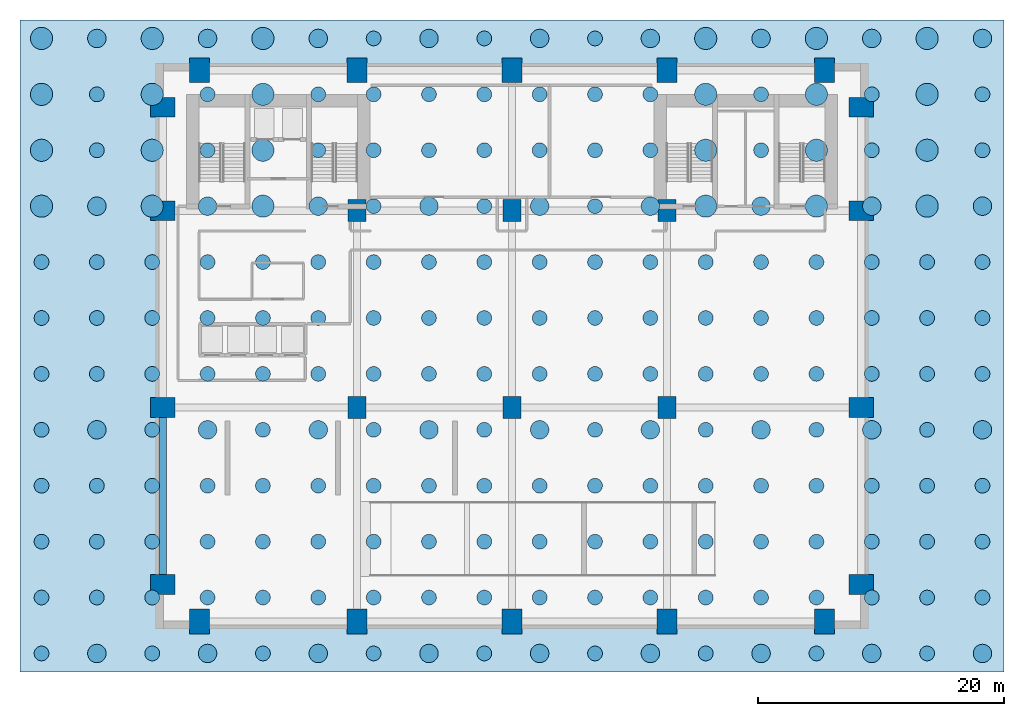
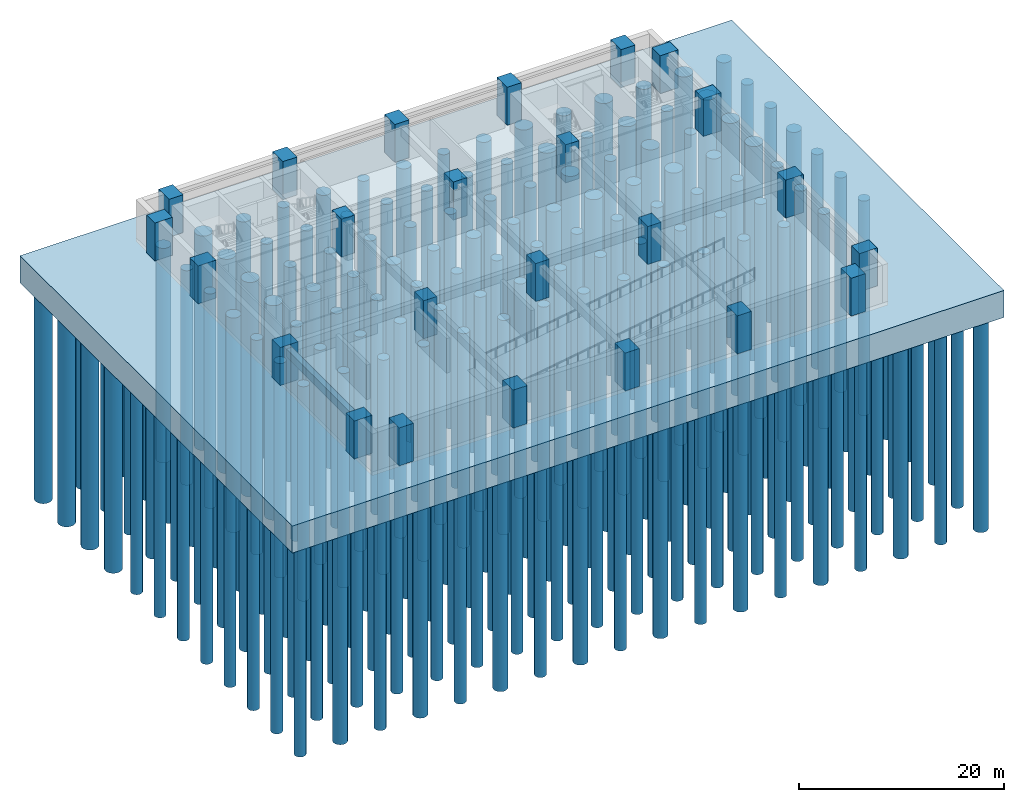
# One storey, part 1 of 8: 216 piles, 24 columns, 1 beam, 1 footing.
"""IFC4 building model written with IfcOpenShell, lengths in metres."""

import ifcopenshell
import ifcopenshell.guid

model = None  # the IFC model being written
_history = None  # IfcOwnerHistory: only IFC2X3 demands one
_inside = {}  # id of a spatial element -> (the spatial element, [elements in it])
_under = {}  # id of a project, library or spatial element -> (it, [spatial elements below it])
_declared = {}  # id of a project -> (the project, [libraries it declares])
_typed = {}  # id of a type object -> (the type object, [elements of that type])
_made_of = {}  # id of a material, layer set ... -> (it, [elements and type objects made of it])


def new_model(schema):
    """Start an empty IFC model of exactly this schema.

    Asked for "IFC4X3", IfcOpenShell would pick the latest addendum, in which some entities
    have other attributes; the version numbers below select the first issue.
    IFC2X3 requires an IfcOwnerHistory on every rooted entity: one is made here for all.
    """
    global model, _history
    if schema == "IFC4X3":
        model = ifcopenshell.file(schema_version=(4, 3, 0, 0))
    else:
        model = ifcopenshell.file(schema=schema)
    _inside.clear()
    _under.clear()
    _declared.clear()
    _typed.clear()
    _made_of.clear()
    _history = None
    if model.schema == "IFC2X3":
        org = make("IfcOrganization", Name="unknown")
        user = make(
            "IfcPersonAndOrganization",
            ThePerson=make("IfcPerson", FamilyName="unknown"),
            TheOrganization=org,
        )
        app = make(
            "IfcApplication",
            ApplicationDeveloper=org,
            Version="unknown",
            ApplicationFullName="unknown",
            ApplicationIdentifier="unknown",
        )
        _history = make(
            "IfcOwnerHistory",
            OwningUser=user,
            OwningApplication=app,
            ChangeAction="ADDED",
            CreationDate=0,
        )
    return model


def make(cls, **values):
    """One entity of the class cls with the attributes given. An attribute that is None is left unset."""
    return model.create_entity(
        cls, **{name: value for name, value in values.items() if value is not None}
    )


def rooted(cls, **values):
    """An entity with a GlobalId (a new one), such as an element, a storey or a relation."""
    return make(cls, GlobalId=ifcopenshell.guid.new(), OwnerHistory=_history, **values)


def si_unit(unit_type, name, prefix=None):
    """IfcSIUnit, for example si_unit("LENGTHUNIT", "METRE", prefix="MILLI")."""
    return make("IfcSIUnit", UnitType=unit_type, Prefix=prefix, Name=name)


def assignment(units):
    """IfcUnitAssignment: the units of a project."""
    return None if units is None else make("IfcUnitAssignment", Units=units)


def point(xyz):
    """IfcCartesianPoint."""
    return None if xyz is None else make("IfcCartesianPoint", Coordinates=xyz)


def direction(xyz):
    """IfcDirection."""
    return None if xyz is None else make("IfcDirection", DirectionRatios=xyz)


def frame(location, z_axis=None, x_axis=None):
    """IfcAxis2Placement3D, a coordinate frame: its origin and axes. An axis left out is left unset."""
    return make(
        "IfcAxis2Placement3D",
        Location=point(location),
        Axis=direction(z_axis),
        RefDirection=direction(x_axis),
    )


def frame_2d(location, x_axis=None):
    """IfcAxis2Placement2D, a coordinate frame in the plane: its origin and x axis."""
    return make(
        "IfcAxis2Placement2D", Location=point(location), RefDirection=direction(x_axis)
    )


def origin():
    """The frame at (0, 0, 0) with its axes left unset."""
    return frame((0.0, 0.0, 0.0))


def origin_2d():
    """The frame at (0, 0) in the plane with its x axis left unset."""
    return frame_2d((0.0, 0.0))


def place(relative_to, where):
    """IfcLocalPlacement: puts the frame where relative to a parent placement (None: the world)."""
    return make(
        "IfcLocalPlacement", PlacementRelTo=relative_to, RelativePlacement=where
    )


def context(
    kind, dimensions, precision=None, world=None, true_north=None, identifier=None
):
    """IfcGeometricRepresentationContext, for example the 3D "Model" context."""
    return make(
        "IfcGeometricRepresentationContext",
        ContextIdentifier=identifier,
        ContextType=kind,
        CoordinateSpaceDimension=dimensions,
        Precision=precision,
        WorldCoordinateSystem=world,
        TrueNorth=true_north,
    )


def subcontext(parent, identifier, kind, view, scale=None):
    """IfcGeometricRepresentationSubContext, for example "Body" below "Model"."""
    return make(
        "IfcGeometricRepresentationSubContext",
        ContextIdentifier=identifier,
        ContextType=kind,
        ParentContext=parent,
        TargetScale=scale,
        TargetView=view,
    )


def project(units=None, contexts=None):
    """IfcProject with its units and contexts."""
    return rooted(
        "IfcProject",
        Name="project",
        RepresentationContexts=contexts,
        UnitsInContext=assignment(units),
    )


def spatial(cls, under=None, at=None, **own):
    """A site, building, storey or space (cls), placed at a placement, below another one or the project."""
    s = rooted(cls, ObjectPlacement=at, **own)
    if under is not None:
        _under.setdefault(under.id(), (under, []))[1].append(s)
    return s


def polyline(points):
    """IfcPolyline through the points."""
    return make("IfcPolyline", Points=[point(p) for p in points])


def profile(cls, at=None, kind="AREA", **sizes):
    """A parametric profile (cls). Its sizes go by their IFC names, for example OverallWidth=200.0."""
    return make(cls, ProfileType=kind, Position=at, **sizes)


def rectangle(**sizes):
    """IfcRectangleProfileDef."""
    return profile("IfcRectangleProfileDef", **sizes)


def circle(**sizes):
    """IfcCircleProfileDef."""
    return profile("IfcCircleProfileDef", **sizes)


def outline(outer, holes=None, kind="AREA"):
    """IfcArbitraryClosedProfileDef: a profile drawn as a closed curve; with holes, ...WithVoids."""
    if holes is None:
        return make("IfcArbitraryClosedProfileDef", ProfileType=kind, OuterCurve=outer)
    return make(
        "IfcArbitraryProfileDefWithVoids",
        ProfileType=kind,
        OuterCurve=outer,
        InnerCurves=holes,
    )


def extrude(swept, where, along, depth):
    """IfcExtrudedAreaSolid: the profile swept, set in the frame where, extruded along a direction by depth."""
    return make(
        "IfcExtrudedAreaSolid",
        SweptArea=swept,
        Position=where,
        ExtrudedDirection=direction(along),
        Depth=depth,
    )


def shape(context_of_items, identifier, shape_type, items):
    """IfcShapeRepresentation: the items that make up one representation, for example the "Body"."""
    return make(
        "IfcShapeRepresentation",
        ContextOfItems=context_of_items,
        RepresentationIdentifier=identifier,
        RepresentationType=shape_type,
        Items=items,
    )


def material(Name=None, Category=None):
    """IfcMaterial."""
    return make("IfcMaterial", Name=Name, Category=Category)


def layer(
    of_material, thickness, ventilated=None, Name=None, Category=None, Priority=None
):
    """IfcMaterialLayer: one layer of a wall or slab, of a material (None: an air gap)."""
    return make(
        "IfcMaterialLayer",
        Material=of_material,
        LayerThickness=thickness,
        IsVentilated=ventilated,
        Name=Name,
        Category=Category,
        Priority=Priority,
    )


def layer_set(layers, Name=None):
    """IfcMaterialLayerSet."""
    return make("IfcMaterialLayerSet", MaterialLayers=layers, LayerSetName=Name)


def material_profile(
    of_material, cross_section, Name=None, Category=None, Priority=None
):
    """IfcMaterialProfile: a cross section and its material."""
    return make(
        "IfcMaterialProfile",
        Name=Name,
        Material=of_material,
        Profile=cross_section,
        Priority=Priority,
        Category=Category,
    )


def profile_set(profiles, Name=None, composite=None):
    """IfcMaterialProfileSet."""
    return make(
        "IfcMaterialProfileSet",
        Name=Name,
        MaterialProfiles=profiles,
        CompositeProfile=composite,
    )


def made_of(thing, what):
    """Note that an element or type object is made of a material, layer set ...; save() writes the relation."""
    if what is not None:
        _made_of.setdefault(what.id(), (what, []))[1].append(thing)
    return thing


def type_object(cls, material=None, **own):
    """A type object (cls), such as IfcWallType, which elements share."""
    return made_of(rooted(cls, **own), material)


def element(
    cls,
    number,
    at=None,
    inside=None,
    cuts=None,
    type_object=None,
    material=None,
    context=None,
    identifier="Body",
    shape_type=None,
    held_by="IfcProductDefinitionShape",
    body=None,
    shapes=None,
    **own,
):
    """One element of the class cls, such as IfcWall. Its Tag is "e" and its number.

    at: its placement. inside: the storey or other place that contains it. cuts: it is an
    opening in that element (IfcRelVoidsElement). A single representation is given by context,
    identifier, shape_type and body (its items); several are given by shapes. held_by: the class
    of the entity that holds the representations. save() writes the other relations.
    """
    e = rooted(cls, Tag="e%d" % number, ObjectPlacement=at, **own)
    if body is not None:
        shapes = [shape(context, identifier, shape_type, body)]
    if shapes is not None:
        e.Representation = make(held_by, Representations=shapes)
    if inside is not None:
        _inside.setdefault(inside.id(), (inside, []))[1].append(e)
    if cuts is not None:
        rooted(
            "IfcRelVoidsElement", RelatingBuildingElement=cuts, RelatedOpeningElement=e
        )
    if type_object is not None:
        _typed.setdefault(type_object.id(), (type_object, []))[1].append(e)
    return made_of(e, material)


def aggregate(whole, parts):
    """IfcRelAggregates: a whole, such as a stair, and the parts it consists of."""
    return rooted("IfcRelAggregates", RelatingObject=whole, RelatedObjects=parts)


def save(model, path):
    """Write the relations noted so far, then the file.

    IfcRelAggregates (storeys below a building ...), IfcRelContainedInSpatialStructure (elements
    in a storey), IfcRelDefinesByType, IfcRelAssociatesMaterial and IfcRelDeclares: one each for
    every whole, place, type object, material and project.
    """
    for whole, parts in _under.values():
        aggregate(whole, parts)
    for where, things in _inside.values():
        rooted(
            "IfcRelContainedInSpatialStructure",
            RelatedElements=things,
            RelatingStructure=where,
        )
    for kind, things in _typed.values():
        rooted("IfcRelDefinesByType", RelatedObjects=things, RelatingType=kind)
    for what, things in _made_of.values():
        rooted("IfcRelAssociatesMaterial", RelatedObjects=things, RelatingMaterial=what)
    for by, libraries in _declared.values():
        rooted("IfcRelDeclares", RelatingContext=by, RelatedDefinitions=libraries)
    model.write(path)


model = new_model("IFC4")

# Units and contexts
model_context = context("Model", 3, precision=1e-05, world=origin(), true_north=direction((0.0, 1.0)))
body_context = subcontext(model_context, "Body", "Model", "MODEL_VIEW")
ifc_project = project(units=[si_unit("LENGTHUNIT", "METRE"), si_unit("AREAUNIT", "SQUARE_METRE"), si_unit("VOLUMEUNIT", "CUBIC_METRE"), si_unit("PLANEANGLEUNIT", "RADIAN"), si_unit("MASSUNIT", "GRAM", prefix="KILO")], contexts=[model_context])

# Site, building, storey
site_placement = place(None, origin())
site = spatial("IfcSite", under=ifc_project, at=site_placement, CompositionType="ELEMENT")
building_placement = place(site_placement, origin())
building = spatial("IfcBuilding", under=site, at=building_placement, Name="Sulina Concourse Tower", CompositionType="ELEMENT")
storey_placement = place(building_placement, frame((0.0, 0.0, -9.0)))
storey = spatial("IfcBuildingStorey", under=building, at=storey_placement, Name="B2", CompositionType="ELEMENT", Elevation=-9.0)

# Footing
ifc_material_1 = material(Name="Concrete C50/60", Category="concrete")
ifc_layer = layer(ifc_material_1, 3.199951171875)
ifc_layer_set = layer_set([ifc_layer], Name="Concrete C50/60")
footing_type = type_object("IfcFootingType", Name="Monolithic Piled Raft Foundation 3200mm", PredefinedType="USERDEFINED", material=ifc_layer_set)
footing_placement = place(storey_placement, frame((0.0, 0.0, -3.64990234375)))
element("IfcFooting", 1, at=footing_placement, inside=storey, type_object=footing_type, Name="Monolithic piled raft foundation 3200mm", ObjectType="RAFT", PredefinedType="USERDEFINED", context=body_context, shape_type="SweptSolid", body=[
    extrude(outline(polyline([(-11.0, -3.5), (69.0, -3.5), (69.0, 49.5), (-11.0, 49.5), (-11.0, -3.5)])), origin(), (0.0, 0.0, 1.0), 3.199951171875),
])

# Piles
ifc_material_2 = material(Name="Concrete C50/60", Category="concrete")
ifc_material_profile_1 = material_profile(ifc_material_2, circle(Radius=0.60009765625, at=origin_2d()), Name="PILE D1200")
ifc_profile_set_1 = profile_set([ifc_material_profile_1], Name="Concrete C50/60")
pile_type_1 = type_object("IfcPileType", Name="Rock-Socketed Bored Pile D1200", PredefinedType="BORED", material=ifc_profile_set_1)
for number, where, z_axis, x_axis, name in (
    (2, (-9.25, -2.0, -3.5), (0.0, 0.0, -1.0), (1.0, 0.0, 0.0), "Rock-socketed bored pile 001"),
    (3, (-0.25, -2.0, -3.5), (0.0, 0.0, -1.0), (1.0, 0.0, 0.0), "Rock-socketed bored pile 003"),
    (4, (8.75, -2.0, -3.5), (0.0, 0.0, -1.0), (1.0, 0.0, 0.0), "Rock-socketed bored pile 005"),
    (5, (17.75, -2.0, -3.5), (0.0, 0.0, -1.0), (1.0, 0.0, 0.0), "Rock-socketed bored pile 007"),
    (6, (26.75, -2.0, -3.5), (0.0, 0.0, -1.0), (1.0, 0.0, 0.0), "Rock-socketed bored pile 009"),
    (7, (35.75, -2.0, -3.5), (0.0, 0.0, -1.0), (1.0, 0.0, 0.0), "Rock-socketed bored pile 011"),
    (8, (44.75, -2.0, -3.5), (0.0, 0.0, -1.0), (1.0, 0.0, 0.0), "Rock-socketed bored pile 013"),
    (9, (53.75, -2.0, -3.5), (0.0, 0.0, -1.0), (1.0, 0.0, 0.0), "Rock-socketed bored pile 015"),
    (10, (62.75, -2.0, -3.5), (0.0, 0.0, -1.0), (1.0, 0.0, 0.0), "Rock-socketed bored pile 017"),
    (11, (-9.25, 2.54541015625, -3.5), (0.0, 0.0, -1.0), (1.0, 0.0, 0.0), "Rock-socketed bored pile 019"),
    (12, (-4.75, 2.54541015625, -3.5), (0.0, 0.0, -1.0), (1.0, 0.0, 0.0), "Rock-socketed bored pile 020"),
    (13, (-0.25, 2.54541015625, -3.5), (0.0, 0.0, -1.0), (1.0, 0.0, 0.0), "Rock-socketed bored pile 021"),
    (14, (4.25, 2.54541015625, -3.5), (0.0, 0.0, -1.0), (1.0, 0.0, 0.0), "Rock-socketed bored pile 022"),
    (15, (8.75, 2.54541015625, -3.5), (0.0, 0.0, -1.0), (1.0, 0.0, 0.0), "Rock-socketed bored pile 023"),
    (16, (13.25, 2.54541015625, -3.5), (0.0, 0.0, -1.0), (1.0, 0.0, 0.0), "Rock-socketed bored pile 024"),
    (17, (17.75, 2.54541015625, -3.5), (0.0, 0.0, -1.0), (1.0, 0.0, 0.0), "Rock-socketed bored pile 025"),
    (18, (22.25, 2.54541015625, -3.5), (0.0, 0.0, -1.0), (1.0, 0.0, 0.0), "Rock-socketed bored pile 026"),
    (19, (26.75, 2.54541015625, -3.5), (0.0, 0.0, -1.0), (1.0, 0.0, 0.0), "Rock-socketed bored pile 027"),
    (20, (31.25, 2.54541015625, -3.5), (0.0, 0.0, -1.0), (1.0, 0.0, 0.0), "Rock-socketed bored pile 028"),
    (21, (35.75, 2.54541015625, -3.5), (0.0, 0.0, -1.0), (1.0, 0.0, 0.0), "Rock-socketed bored pile 029"),
    (22, (40.25, 2.54541015625, -3.5), (0.0, 0.0, -1.0), (1.0, 0.0, 0.0), "Rock-socketed bored pile 030"),
    (23, (44.75, 2.54541015625, -3.5), (0.0, 0.0, -1.0), (1.0, 0.0, 0.0), "Rock-socketed bored pile 031"),
    (24, (49.25, 2.54541015625, -3.5), (0.0, 0.0, -1.0), (1.0, 0.0, 0.0), "Rock-socketed bored pile 032"),
    (25, (53.75, 2.54541015625, -3.5), (0.0, 0.0, -1.0), (1.0, 0.0, 0.0), "Rock-socketed bored pile 033"),
    (26, (58.25, 2.54541015625, -3.5), (0.0, 0.0, -1.0), (1.0, 0.0, 0.0), "Rock-socketed bored pile 034"),
    (27, (62.75, 2.54541015625, -3.5), (0.0, 0.0, -1.0), (1.0, 0.0, 0.0), "Rock-socketed bored pile 035"),
    (28, (67.25, 2.54541015625, -3.5), (0.0, 0.0, -1.0), (1.0, 0.0, 0.0), "Rock-socketed bored pile 036"),
    (29, (-9.25, 7.0908203125, -3.5), (0.0, 0.0, -1.0), (1.0, 0.0, 0.0), "Rock-socketed bored pile 037"),
    (30, (-4.75, 7.0908203125, -3.5), (0.0, 0.0, -1.0), (1.0, 0.0, 0.0), "Rock-socketed bored pile 038"),
    (31, (-0.25, 7.0908203125, -3.5), (0.0, 0.0, -1.0), (1.0, 0.0, 0.0), "Rock-socketed bored pile 039"),
    (32, (4.25, 7.0908203125, -3.5), (0.0, 0.0, -1.0), (1.0, 0.0, 0.0), "Rock-socketed bored pile 040"),
    (33, (8.75, 7.0908203125, -3.5), (0.0, 0.0, -1.0), (1.0, 0.0, 0.0), "Rock-socketed bored pile 041"),
    (34, (13.25, 7.0908203125, -3.5), (0.0, 0.0, -1.0), (1.0, 0.0, 0.0), "Rock-socketed bored pile 042"),
    (35, (17.75, 7.0908203125, -3.5), (0.0, 0.0, -1.0), (1.0, 0.0, 0.0), "Rock-socketed bored pile 043"),
    (36, (22.25, 7.0908203125, -3.5), (0.0, 0.0, -1.0), (1.0, 0.0, 0.0), "Rock-socketed bored pile 044"),
    (37, (26.75, 7.0908203125, -3.5), (0.0, 0.0, -1.0), (1.0, 0.0, 0.0), "Rock-socketed bored pile 045"),
    (38, (31.25, 7.0908203125, -3.5), (0.0, 0.0, -1.0), (1.0, 0.0, 0.0), "Rock-socketed bored pile 046"),
    (39, (35.75, 7.0908203125, -3.5), (0.0, 0.0, -1.0), (1.0, 0.0, 0.0), "Rock-socketed bored pile 047"),
    (40, (40.25, 7.0908203125, -3.5), (0.0, 0.0, -1.0), (1.0, 0.0, 0.0), "Rock-socketed bored pile 048"),
    (41, (44.75, 7.0908203125, -3.5), (0.0, 0.0, -1.0), (1.0, 0.0, 0.0), "Rock-socketed bored pile 049"),
    (42, (49.25, 7.0908203125, -3.5), (0.0, 0.0, -1.0), (1.0, 0.0, 0.0), "Rock-socketed bored pile 050"),
    (43, (53.75, 7.0908203125, -3.5), (0.0, 0.0, -1.0), (1.0, 0.0, 0.0), "Rock-socketed bored pile 051"),
    (44, (58.25, 7.0908203125, -3.5), (0.0, 0.0, -1.0), (1.0, 0.0, 0.0), "Rock-socketed bored pile 052"),
    (45, (62.75, 7.0908203125, -3.5), (0.0, 0.0, -1.0), (1.0, 0.0, 0.0), "Rock-socketed bored pile 053"),
    (46, (67.25, 7.0908203125, -3.5), (0.0, 0.0, -1.0), (1.0, 0.0, 0.0), "Rock-socketed bored pile 054"),
    (47, (-9.25, 11.636474609375, -3.5), (0.0, 0.0, -1.0), (1.0, 0.0, 0.0), "Rock-socketed bored pile 055"),
    (48, (-4.75, 11.636474609375, -3.5), (0.0, 0.0, -1.0), (1.0, 0.0, 0.0), "Rock-socketed bored pile 056"),
    (49, (-0.25, 11.636474609375, -3.5), (0.0, 0.0, -1.0), (1.0, 0.0, 0.0), "Rock-socketed bored pile 057"),
    (50, (4.25, 11.636474609375, -3.5), (0.0, 0.0, -1.0), (1.0, 0.0, 0.0), "Rock-socketed bored pile 058"),
    (51, (8.75, 11.636474609375, -3.5), (0.0, 0.0, -1.0), (1.0, 0.0, 0.0), "Rock-socketed bored pile 059"),
    (52, (13.25, 11.636474609375, -3.5), (0.0, 0.0, -1.0), (1.0, 0.0, 0.0), "Rock-socketed bored pile 060"),
    (53, (17.75, 11.636474609375, -3.5), (0.0, 0.0, -1.0), (1.0, 0.0, 0.0), "Rock-socketed bored pile 061"),
    (54, (22.25, 11.636474609375, -3.5), (0.0, 0.0, -1.0), (1.0, 0.0, 0.0), "Rock-socketed bored pile 062"),
    (55, (26.75, 11.636474609375, -3.5), (0.0, 0.0, -1.0), (1.0, 0.0, 0.0), "Rock-socketed bored pile 063"),
    (56, (31.25, 11.636474609375, -3.5), (0.0, 0.0, -1.0), (1.0, 0.0, 0.0), "Rock-socketed bored pile 064"),
    (57, (35.75, 11.636474609375, -3.5), (0.0, 0.0, -1.0), (1.0, 0.0, 0.0), "Rock-socketed bored pile 065"),
    (58, (40.25, 11.636474609375, -3.5), (0.0, 0.0, -1.0), (1.0, 0.0, 0.0), "Rock-socketed bored pile 066"),
    (59, (44.75, 11.636474609375, -3.5), (0.0, 0.0, -1.0), (1.0, 0.0, 0.0), "Rock-socketed bored pile 067"),
    (60, (49.25, 11.636474609375, -3.5), (0.0, 0.0, -1.0), (1.0, 0.0, 0.0), "Rock-socketed bored pile 068"),
    (61, (53.75, 11.636474609375, -3.5), (0.0, 0.0, -1.0), (1.0, 0.0, 0.0), "Rock-socketed bored pile 069"),
    (62, (58.25, 11.636474609375, -3.5), (0.0, 0.0, -1.0), (1.0, 0.0, 0.0), "Rock-socketed bored pile 070"),
    (63, (62.75, 11.636474609375, -3.5), (0.0, 0.0, -1.0), (1.0, 0.0, 0.0), "Rock-socketed bored pile 071"),
    (64, (67.25, 11.636474609375, -3.5), (0.0, 0.0, -1.0), (1.0, 0.0, 0.0), "Rock-socketed bored pile 072"),
    (65, (-9.25, 16.181884765625, -3.5), (0.0, 0.0, -1.0), (1.0, 0.0, 0.0), "Rock-socketed bored pile 073"),
    (66, (-0.25, 16.181884765625, -3.5), (0.0, 0.0, -1.0), (1.0, 0.0, 0.0), "Rock-socketed bored pile 075"),
    (67, (8.75, 16.181884765625, -3.5), (0.0, 0.0, -1.0), (1.0, 0.0, 0.0), "Rock-socketed bored pile 077"),
    (68, (17.75, 16.181884765625, -3.5), (0.0, 0.0, -1.0), (1.0, 0.0, 0.0), "Rock-socketed bored pile 079"),
    (69, (26.75, 16.181884765625, -3.5), (0.0, 0.0, -1.0), (1.0, 0.0, 0.0), "Rock-socketed bored pile 081"),
    (70, (35.75, 16.181884765625, -3.5), (0.0, 0.0, -1.0), (1.0, 0.0, 0.0), "Rock-socketed bored pile 083"),
    (71, (44.75, 16.181884765625, -3.5), (0.0, 0.0, -1.0), (1.0, 0.0, 0.0), "Rock-socketed bored pile 085"),
    (72, (53.75, 16.181884765625, -3.5), (0.0, 0.0, -1.0), (1.0, 0.0, 0.0), "Rock-socketed bored pile 087"),
    (73, (62.75, 16.181884765625, -3.5), (0.0, 0.0, -1.0), (1.0, 0.0, 0.0), "Rock-socketed bored pile 089"),
    (74, (-9.25, 20.727294921875, -3.5), (0.0, 0.0, -1.0), (1.0, 0.0, 0.0), "Rock-socketed bored pile 091"),
    (75, (-4.75, 20.727294921875, -3.5), (0.0, 0.0, -1.0), (1.0, 0.0, 0.0), "Rock-socketed bored pile 092"),
    (76, (-0.25, 20.727294921875, -3.5), (0.0, 0.0, -1.0), (1.0, 0.0, 0.0), "Rock-socketed bored pile 093"),
    (77, (4.25, 20.727294921875, -3.5), (0.0, 0.0, -1.0), (1.0, 0.0, 0.0), "Rock-socketed bored pile 094"),
    (78, (8.75, 20.727294921875, -3.5), (0.0, 0.0, -1.0), (1.0, 0.0, 0.0), "Rock-socketed bored pile 095"),
    (79, (13.25, 20.727294921875, -3.5), (0.0, 0.0, -1.0), (1.0, 0.0, 0.0), "Rock-socketed bored pile 096"),
    (80, (17.75, 20.727294921875, -3.5), (0.0, 0.0, -1.0), (1.0, 0.0, 0.0), "Rock-socketed bored pile 097"),
    (81, (22.25, 20.727294921875, -3.5), (0.0, 0.0, -1.0), (1.0, 0.0, 0.0), "Rock-socketed bored pile 098"),
    (82, (26.75, 20.727294921875, -3.5), (0.0, 0.0, -1.0), (1.0, 0.0, 0.0), "Rock-socketed bored pile 099"),
    (83, (31.25, 20.727294921875, -3.5), (0.0, 0.0, -1.0), (1.0, 0.0, 0.0), "Rock-socketed bored pile 100"),
    (84, (35.75, 20.727294921875, -3.5), (0.0, 0.0, -1.0), (1.0, 0.0, 0.0), "Rock-socketed bored pile 101"),
    (85, (40.25, 20.727294921875, -3.5), (0.0, 0.0, -1.0), (1.0, 0.0, 0.0), "Rock-socketed bored pile 102"),
    (86, (44.75, 20.727294921875, -3.5), (0.0, 0.0, -1.0), (1.0, 0.0, 0.0), "Rock-socketed bored pile 103"),
    (87, (49.25, 20.727294921875, -3.5), (0.0, 0.0, -1.0), (1.0, 0.0, 0.0), "Rock-socketed bored pile 104"),
    (88, (53.75, 20.727294921875, -3.5), (0.0, 0.0, -1.0), (1.0, 0.0, 0.0), "Rock-socketed bored pile 105"),
    (89, (58.25, 20.727294921875, -3.5), (0.0, 0.0, -1.0), (1.0, 0.0, 0.0), "Rock-socketed bored pile 106"),
    (90, (62.75, 20.727294921875, -3.5), (0.0, 0.0, -1.0), (1.0, 0.0, 0.0), "Rock-socketed bored pile 107"),
    (91, (67.25, 20.727294921875, -3.5), (0.0, 0.0, -1.0), (1.0, 0.0, 0.0), "Rock-socketed bored pile 108"),
    (92, (-9.25, 25.272705078125, -3.5), (0.0, 0.0, -1.0), (1.0, 0.0, 0.0), "Rock-socketed bored pile 109"),
    (93, (-4.75, 25.272705078125, -3.5), (0.0, 0.0, -1.0), (1.0, 0.0, 0.0), "Rock-socketed bored pile 110"),
    (94, (-0.25, 25.272705078125, -3.5), (0.0, 0.0, -1.0), (1.0, 0.0, 0.0), "Rock-socketed bored pile 111"),
    (95, (4.25, 25.272705078125, -3.5), (0.0, 0.0, -1.0), (1.0, 0.0, 0.0), "Rock-socketed bored pile 112"),
    (96, (8.75, 25.272705078125, -3.5), (0.0, 0.0, -1.0), (1.0, 0.0, 0.0), "Rock-socketed bored pile 113"),
    (97, (13.25, 25.272705078125, -3.5), (0.0, 0.0, -1.0), (1.0, 0.0, 0.0), "Rock-socketed bored pile 114"),
    (98, (17.75, 25.272705078125, -3.5), (0.0, 0.0, -1.0), (1.0, 0.0, 0.0), "Rock-socketed bored pile 115"),
    (99, (22.25, 25.272705078125, -3.5), (0.0, 0.0, -1.0), (1.0, 0.0, 0.0), "Rock-socketed bored pile 116"),
    (100, (26.75, 25.272705078125, -3.5), (0.0, 0.0, -1.0), (1.0, 0.0, 0.0), "Rock-socketed bored pile 117"),
    (101, (31.25, 25.272705078125, -3.5), (0.0, 0.0, -1.0), (1.0, 0.0, 0.0), "Rock-socketed bored pile 118"),
    (102, (35.75, 25.272705078125, -3.5), (0.0, 0.0, -1.0), (1.0, 0.0, 0.0), "Rock-socketed bored pile 119"),
    (103, (40.25, 25.272705078125, -3.5), (0.0, 0.0, -1.0), (1.0, 0.0, 0.0), "Rock-socketed bored pile 120"),
    (104, (44.75, 25.272705078125, -3.5), (0.0, 0.0, -1.0), (1.0, 0.0, 0.0), "Rock-socketed bored pile 121"),
    (105, (49.25, 25.272705078125, -3.5), (0.0, 0.0, -1.0), (1.0, 0.0, 0.0), "Rock-socketed bored pile 122"),
    (106, (53.75, 25.272705078125, -3.5), (0.0, 0.0, -1.0), (1.0, 0.0, 0.0), "Rock-socketed bored pile 123"),
    (107, (58.25, 25.272705078125, -3.5), (0.0, 0.0, -1.0), (1.0, 0.0, 0.0), "Rock-socketed bored pile 124"),
    (108, (62.75, 25.272705078125, -3.5), (0.0, 0.0, -1.0), (1.0, 0.0, 0.0), "Rock-socketed bored pile 125"),
    (109, (67.25, 25.272705078125, -3.5), (0.0, 0.0, -1.0), (1.0, 0.0, 0.0), "Rock-socketed bored pile 126"),
    (110, (-9.25, 29.818115234375, -3.5), (0.0, 0.0, -1.0), (1.0, 0.0, 0.0), "Rock-socketed bored pile 127"),
    (111, (-4.75, 29.818115234375, -3.5), (0.0, 0.0, -1.0), (1.0, 0.0, 0.0), "Rock-socketed bored pile 128"),
    (112, (-0.25, 29.818115234375, -3.5), (0.0, 0.0, -1.0), (1.0, 0.0, 0.0), "Rock-socketed bored pile 129"),
    (113, (4.25, 29.818115234375, -3.5), (0.0, 0.0, -1.0), (1.0, 0.0, 0.0), "Rock-socketed bored pile 130"),
    (114, (8.75, 29.818115234375, -3.5), (0.0, 0.0, -1.0), (1.0, 0.0, 0.0), "Rock-socketed bored pile 131"),
    (115, (13.25, 29.818115234375, -3.5), (0.0, 0.0, -1.0), (1.0, 0.0, 0.0), "Rock-socketed bored pile 132"),
    (116, (17.75, 29.818115234375, -3.5), (0.0, 0.0, -1.0), (1.0, 0.0, 0.0), "Rock-socketed bored pile 133"),
    (117, (22.25, 29.818115234375, -3.5), (0.0, 0.0, -1.0), (1.0, 0.0, 0.0), "Rock-socketed bored pile 134"),
    (118, (26.75, 29.818115234375, -3.5), (0.0, 0.0, -1.0), (1.0, 0.0, 0.0), "Rock-socketed bored pile 135"),
    (119, (31.25, 29.818115234375, -3.5), (0.0, 0.0, -1.0), (1.0, 0.0, 0.0), "Rock-socketed bored pile 136"),
    (120, (35.75, 29.818115234375, -3.5), (0.0, 0.0, -1.0), (1.0, 0.0, 0.0), "Rock-socketed bored pile 137"),
    (121, (40.25, 29.818115234375, -3.5), (0.0, 0.0, -1.0), (1.0, 0.0, 0.0), "Rock-socketed bored pile 138"),
    (122, (44.75, 29.818115234375, -3.5), (0.0, 0.0, -1.0), (1.0, 0.0, 0.0), "Rock-socketed bored pile 139"),
    (123, (49.25, 29.818115234375, -3.5), (0.0, 0.0, -1.0), (1.0, 0.0, 0.0), "Rock-socketed bored pile 140"),
    (124, (53.75, 29.818115234375, -3.5), (0.0, 0.0, -1.0), (1.0, 0.0, 0.0), "Rock-socketed bored pile 141"),
    (125, (58.25, 29.818115234375, -3.5), (0.0, 0.0, -1.0), (1.0, 0.0, 0.0), "Rock-socketed bored pile 142"),
    (126, (62.75, 29.818115234375, -3.5), (0.0, 0.0, -1.0), (1.0, 0.0, 0.0), "Rock-socketed bored pile 143"),
    (127, (67.25, 29.818115234375, -3.5), (0.0, 0.0, -1.0), (1.0, 0.0, 0.0), "Rock-socketed bored pile 144"),
    (128, (17.75, 34.363525390625, -3.5), (0.0, 0.0, -1.0), (1.0, 0.0, 0.0), "Rock-socketed bored pile 151"),
    (129, (26.75, 34.363525390625, -3.5), (0.0, 0.0, -1.0), (1.0, 0.0, 0.0), "Rock-socketed bored pile 153"),
    (130, (35.75, 34.363525390625, -3.5), (0.0, 0.0, -1.0), (1.0, 0.0, 0.0), "Rock-socketed bored pile 155"),
    (131, (-4.75, 38.9091796875, -3.5), (0.0, 0.0, -1.0), (1.0, 0.0, 0.0), "Rock-socketed bored pile 164"),
    (132, (4.25, 38.9091796875, -3.5), (0.0, 0.0, -1.0), (1.0, 0.0, 0.0), "Rock-socketed bored pile 166"),
    (133, (13.25, 38.9091796875, -3.5), (0.0, 0.0, -1.0), (1.0, 0.0, 0.0), "Rock-socketed bored pile 168"),
    (134, (17.75, 38.9091796875, -3.5), (0.0, 0.0, -1.0), (1.0, 0.0, 0.0), "Rock-socketed bored pile 169"),
    (135, (22.25, 38.9091796875, -3.5), (0.0, 0.0, -1.0), (1.0, 0.0, 0.0), "Rock-socketed bored pile 170"),
    (136, (26.75, 38.9091796875, -3.5), (0.0, 0.0, -1.0), (1.0, 0.0, 0.0), "Rock-socketed bored pile 171"),
    (137, (31.25, 38.9091796875, -3.5), (0.0, 0.0, -1.0), (1.0, 0.0, 0.0), "Rock-socketed bored pile 172"),
    (138, (35.75, 38.9091796875, -3.5), (0.0, 0.0, -1.0), (1.0, 0.0, 0.0), "Rock-socketed bored pile 173"),
    (139, (40.25, 38.9091796875, -3.5), (0.0, 0.0, -1.0), (1.0, 0.0, 0.0), "Rock-socketed bored pile 174"),
    (140, (49.25, 38.9091796875, -3.5), (0.0, 0.0, -1.0), (1.0, 0.0, 0.0), "Rock-socketed bored pile 176"),
    (141, (58.25, 38.9091796875, -3.5), (0.0, 0.0, -1.0), (1.0, 0.0, 0.0), "Rock-socketed bored pile 178"),
    (142, (67.25, 38.9091796875, -3.5), (0.0, 0.0, -1.0), (1.0, 0.0, 0.0), "Rock-socketed bored pile 180"),
    (143, (-4.75, 43.45458984375, -3.5), (0.0, 0.0, -1.0), (1.0, 0.0, 0.0), "Rock-socketed bored pile 182"),
    (144, (4.25, 43.45458984375, -3.5), (0.0, 0.0, -1.0), (1.0, 0.0, 0.0), "Rock-socketed bored pile 184"),
    (145, (13.25, 43.45458984375, -3.5), (0.0, 0.0, -1.0), (1.0, 0.0, 0.0), "Rock-socketed bored pile 186"),
    (146, (17.75, 43.45458984375, -3.5), (0.0, 0.0, -1.0), (1.0, 0.0, 0.0), "Rock-socketed bored pile 187"),
    (147, (22.25, 43.45458984375, -3.5), (0.0, 0.0, -1.0), (1.0, 0.0, 0.0), "Rock-socketed bored pile 188"),
    (148, (26.75, 43.45458984375, -3.5), (0.0, 0.0, -1.0), (1.0, 0.0, 0.0), "Rock-socketed bored pile 189"),
    (149, (31.25, 43.45458984375, -3.5), (0.0, 0.0, -1.0), (1.0, 0.0, 0.0), "Rock-socketed bored pile 190"),
    (150, (35.75, 43.45458984375, -3.5), (0.0, 0.0, -1.0), (1.0, 0.0, 0.0), "Rock-socketed bored pile 191"),
    (151, (40.25, 43.45458984375, -3.5), (0.0, 0.0, -1.0), (1.0, 0.0, 0.0), "Rock-socketed bored pile 192"),
    (152, (49.25, 43.45458984375, -3.5), (0.0, 0.0, -1.0), (1.0, 0.0, 0.0), "Rock-socketed bored pile 194"),
    (153, (58.25, 43.45458984375, -3.5), (0.0, 0.0, -1.0), (1.0, 0.0, 0.0), "Rock-socketed bored pile 196"),
    (154, (67.25, 43.45458984375, -3.5), (0.0, 0.0, -1.0), (1.0, 0.0, 0.0), "Rock-socketed bored pile 198"),
    (155, (17.75, 48.0, -3.5), (0.0, 0.0, -1.0), (1.0, 0.0, 0.0), "Rock-socketed bored pile 205"),
    (156, (26.75, 48.0, -3.5), (0.0, 0.0, -1.0), (1.0, 0.0, 0.0), "Rock-socketed bored pile 207"),
    (157, (35.75, 48.0, -3.5), (0.0, 0.0, -1.0), (1.0, 0.0, 0.0), "Rock-socketed bored pile 209"),
):
    element("IfcPile", number, at=place(storey_placement, frame(where, z_axis=z_axis, x_axis=x_axis)), inside=storey, type_object=pile_type_1, Name=name, PredefinedType="BORED", context=body_context, shape_type="SweptSolid", body=[
        extrude(circle(Radius=0.60009765625, at=origin_2d()), origin(), (0.0, 0.0, 1.0), 25.5),
    ])
ifc_material_3 = material(Name="Concrete C50/60", Category="concrete")
ifc_material_profile_2 = material_profile(ifc_material_3, circle(Radius=0.75, at=origin_2d()), Name="PILE D1500")
ifc_profile_set_2 = profile_set([ifc_material_profile_2], Name="Concrete C50/60")
pile_type_2 = type_object("IfcPileType", Name="Rock-Socketed Bored Pile D1500", PredefinedType="BORED", material=ifc_profile_set_2)
for number, where, z_axis, x_axis, name in (
    (158, (-4.75, -2.0, -3.5), (0.0, 0.0, -1.0), (1.0, 0.0, 0.0), "Rock-socketed bored pile 002"),
    (159, (4.25, -2.0, -3.5), (0.0, 0.0, -1.0), (1.0, 0.0, 0.0), "Rock-socketed bored pile 004"),
    (160, (13.25, -2.0, -3.5), (0.0, 0.0, -1.0), (1.0, 0.0, 0.0), "Rock-socketed bored pile 006"),
    (161, (22.25, -2.0, -3.5), (0.0, 0.0, -1.0), (1.0, 0.0, 0.0), "Rock-socketed bored pile 008"),
    (162, (31.25, -2.0, -3.5), (0.0, 0.0, -1.0), (1.0, 0.0, 0.0), "Rock-socketed bored pile 010"),
    (163, (40.25, -2.0, -3.5), (0.0, 0.0, -1.0), (1.0, 0.0, 0.0), "Rock-socketed bored pile 012"),
    (164, (49.25, -2.0, -3.5), (0.0, 0.0, -1.0), (1.0, 0.0, 0.0), "Rock-socketed bored pile 014"),
    (165, (58.25, -2.0, -3.5), (0.0, 0.0, -1.0), (1.0, 0.0, 0.0), "Rock-socketed bored pile 016"),
    (166, (67.25, -2.0, -3.5), (0.0, 0.0, -1.0), (1.0, 0.0, 0.0), "Rock-socketed bored pile 018"),
    (167, (-4.75, 16.181884765625, -3.5), (0.0, 0.0, -1.0), (1.0, 0.0, 0.0), "Rock-socketed bored pile 074"),
    (168, (4.25, 16.181884765625, -3.5), (0.0, 0.0, -1.0), (1.0, 0.0, 0.0), "Rock-socketed bored pile 076"),
    (169, (13.25, 16.181884765625, -3.5), (0.0, 0.0, -1.0), (1.0, 0.0, 0.0), "Rock-socketed bored pile 078"),
    (170, (22.25, 16.181884765625, -3.5), (0.0, 0.0, -1.0), (1.0, 0.0, 0.0), "Rock-socketed bored pile 080"),
    (171, (31.25, 16.181884765625, -3.5), (0.0, 0.0, -1.0), (1.0, 0.0, 0.0), "Rock-socketed bored pile 082"),
    (172, (40.25, 16.181884765625, -3.5), (0.0, 0.0, -1.0), (1.0, 0.0, 0.0), "Rock-socketed bored pile 084"),
    (173, (49.25, 16.181884765625, -3.5), (0.0, 0.0, -1.0), (1.0, 0.0, 0.0), "Rock-socketed bored pile 086"),
    (174, (58.25, 16.181884765625, -3.5), (0.0, 0.0, -1.0), (1.0, 0.0, 0.0), "Rock-socketed bored pile 088"),
    (175, (67.25, 16.181884765625, -3.5), (0.0, 0.0, -1.0), (1.0, 0.0, 0.0), "Rock-socketed bored pile 090"),
    (176, (-4.75, 34.363525390625, -3.5), (0.0, 0.0, -1.0), (1.0, 0.0, 0.0), "Rock-socketed bored pile 146"),
    (177, (4.25, 34.363525390625, -3.5), (0.0, 0.0, -1.0), (1.0, 0.0, 0.0), "Rock-socketed bored pile 148"),
    (178, (13.25, 34.363525390625, -3.5), (0.0, 0.0, -1.0), (1.0, 0.0, 0.0), "Rock-socketed bored pile 150"),
    (179, (22.25, 34.363525390625, -3.5), (0.0, 0.0, -1.0), (1.0, 0.0, 0.0), "Rock-socketed bored pile 152"),
    (180, (31.25, 34.363525390625, -3.5), (0.0, 0.0, -1.0), (1.0, 0.0, 0.0), "Rock-socketed bored pile 154"),
    (181, (40.25, 34.363525390625, -3.5), (0.0, 0.0, -1.0), (1.0, 0.0, 0.0), "Rock-socketed bored pile 156"),
    (182, (49.25, 34.363525390625, -3.5), (0.0, 0.0, -1.0), (1.0, 0.0, 0.0), "Rock-socketed bored pile 158"),
    (183, (58.25, 34.363525390625, -3.5), (0.0, 0.0, -1.0), (1.0, 0.0, 0.0), "Rock-socketed bored pile 160"),
    (184, (67.25, 34.363525390625, -3.5), (0.0, 0.0, -1.0), (1.0, 0.0, 0.0), "Rock-socketed bored pile 162"),
    (185, (-4.75, 48.0, -3.5), (0.0, 0.0, -1.0), (1.0, 0.0, 0.0), "Rock-socketed bored pile 200"),
    (186, (4.25, 48.0, -3.5), (0.0, 0.0, -1.0), (1.0, 0.0, 0.0), "Rock-socketed bored pile 202"),
    (187, (13.25, 48.0, -3.5), (0.0, 0.0, -1.0), (1.0, 0.0, 0.0), "Rock-socketed bored pile 204"),
    (188, (22.25, 48.0, -3.5), (0.0, 0.0, -1.0), (1.0, 0.0, 0.0), "Rock-socketed bored pile 206"),
    (189, (31.25, 48.0, -3.5), (0.0, 0.0, -1.0), (1.0, 0.0, 0.0), "Rock-socketed bored pile 208"),
    (190, (40.25, 48.0, -3.5), (0.0, 0.0, -1.0), (1.0, 0.0, 0.0), "Rock-socketed bored pile 210"),
    (191, (49.25, 48.0, -3.5), (0.0, 0.0, -1.0), (1.0, 0.0, 0.0), "Rock-socketed bored pile 212"),
    (192, (58.25, 48.0, -3.5), (0.0, 0.0, -1.0), (1.0, 0.0, 0.0), "Rock-socketed bored pile 214"),
    (193, (67.25, 48.0, -3.5), (0.0, 0.0, -1.0), (1.0, 0.0, 0.0), "Rock-socketed bored pile 216"),
):
    element("IfcPile", number, at=place(storey_placement, frame(where, z_axis=z_axis, x_axis=x_axis)), inside=storey, type_object=pile_type_2, Name=name, PredefinedType="BORED", context=body_context, shape_type="SweptSolid", body=[
        extrude(circle(Radius=0.75, at=origin_2d()), origin(), (0.0, 0.0, 1.0), 25.5),
    ])
ifc_material_4 = material(Name="Concrete C50/60", Category="concrete")
ifc_material_profile_3 = material_profile(ifc_material_4, circle(Radius=0.89990234375, at=origin_2d()), Name="PILE D1800")
ifc_profile_set_3 = profile_set([ifc_material_profile_3], Name="Concrete C50/60")
pile_type_3 = type_object("IfcPileType", Name="Rock-Socketed Bored Pile D1800", PredefinedType="BORED", material=ifc_profile_set_3)
for number, where, z_axis, x_axis, name in (
    (194, (-9.25, 34.363525390625, -3.5), (0.0, 0.0, -1.0), (1.0, 0.0, 0.0), "Rock-socketed bored pile 145"),
    (195, (-0.25, 34.363525390625, -3.5), (0.0, 0.0, -1.0), (1.0, 0.0, 0.0), "Rock-socketed bored pile 147"),
    (196, (8.75, 34.363525390625, -3.5), (0.0, 0.0, -1.0), (1.0, 0.0, 0.0), "Rock-socketed bored pile 149"),
    (197, (44.75, 34.363525390625, -3.5), (0.0, 0.0, -1.0), (1.0, 0.0, 0.0), "Rock-socketed bored pile 157"),
    (198, (53.75, 34.363525390625, -3.5), (0.0, 0.0, -1.0), (1.0, 0.0, 0.0), "Rock-socketed bored pile 159"),
    (199, (62.75, 34.363525390625, -3.5), (0.0, 0.0, -1.0), (1.0, 0.0, 0.0), "Rock-socketed bored pile 161"),
    (200, (-9.25, 38.9091796875, -3.5), (0.0, 0.0, -1.0), (1.0, 0.0, 0.0), "Rock-socketed bored pile 163"),
    (201, (-0.25, 38.9091796875, -3.5), (0.0, 0.0, -1.0), (1.0, 0.0, 0.0), "Rock-socketed bored pile 165"),
    (202, (8.75, 38.9091796875, -3.5), (0.0, 0.0, -1.0), (1.0, 0.0, 0.0), "Rock-socketed bored pile 167"),
    (203, (44.75, 38.9091796875, -3.5), (0.0, 0.0, -1.0), (1.0, 0.0, 0.0), "Rock-socketed bored pile 175"),
    (204, (53.75, 38.9091796875, -3.5), (0.0, 0.0, -1.0), (1.0, 0.0, 0.0), "Rock-socketed bored pile 177"),
    (205, (62.75, 38.9091796875, -3.5), (0.0, 0.0, -1.0), (1.0, 0.0, 0.0), "Rock-socketed bored pile 179"),
    (206, (-9.25, 43.45458984375, -3.5), (0.0, 0.0, -1.0), (1.0, 0.0, 0.0), "Rock-socketed bored pile 181"),
    (207, (-0.25, 43.45458984375, -3.5), (0.0, 0.0, -1.0), (1.0, 0.0, 0.0), "Rock-socketed bored pile 183"),
    (208, (8.75, 43.45458984375, -3.5), (0.0, 0.0, -1.0), (1.0, 0.0, 0.0), "Rock-socketed bored pile 185"),
    (209, (44.75, 43.45458984375, -3.5), (0.0, 0.0, -1.0), (1.0, 0.0, 0.0), "Rock-socketed bored pile 193"),
    (210, (53.75, 43.45458984375, -3.5), (0.0, 0.0, -1.0), (1.0, 0.0, 0.0), "Rock-socketed bored pile 195"),
    (211, (62.75, 43.45458984375, -3.5), (0.0, 0.0, -1.0), (1.0, 0.0, 0.0), "Rock-socketed bored pile 197"),
    (212, (-9.25, 48.0, -3.5), (0.0, 0.0, -1.0), (1.0, 0.0, 0.0), "Rock-socketed bored pile 199"),
    (213, (-0.25, 48.0, -3.5), (0.0, 0.0, -1.0), (1.0, 0.0, 0.0), "Rock-socketed bored pile 201"),
    (214, (8.75, 48.0, -3.5), (0.0, 0.0, -1.0), (1.0, 0.0, 0.0), "Rock-socketed bored pile 203"),
    (215, (44.75, 48.0, -3.5), (0.0, 0.0, -1.0), (1.0, 0.0, 0.0), "Rock-socketed bored pile 211"),
    (216, (53.75, 48.0, -3.5), (0.0, 0.0, -1.0), (1.0, 0.0, 0.0), "Rock-socketed bored pile 213"),
    (217, (62.75, 48.0, -3.5), (0.0, 0.0, -1.0), (1.0, 0.0, 0.0), "Rock-socketed bored pile 215"),
):
    element("IfcPile", number, at=place(storey_placement, frame(where, z_axis=z_axis, x_axis=x_axis)), inside=storey, type_object=pile_type_3, Name=name, PredefinedType="BORED", context=body_context, shape_type="SweptSolid", body=[
        extrude(circle(Radius=0.89990234375, at=origin_2d()), origin(), (0.0, 0.0, 1.0), 25.5),
    ])

# Columns
ifc_material_5 = material(Name="Concrete C80/95", Category="concrete")
ifc_material_profile_4 = material_profile(ifc_material_5, rectangle(XDim=1.5, YDim=1.800048828125, at=origin_2d()), Name="RC 1500x1800")
ifc_profile_set_4 = profile_set([ifc_material_profile_4], Name="Concrete C80/95")
column_type_1 = type_object("IfcColumnType", Name="Station Concourse Mega-Column 1500x1800", PredefinedType="COLUMN", material=ifc_profile_set_4)
for number, where, z_axis, x_axis, name in (
    (218, (16.39990234375, 18.0, 0.0), (0.0, 0.0, 1.0), (1.0, 0.0, 0.0), "B2 structural column MC-M1"),
    (219, (16.39990234375, 34.0, 0.0), (0.0, 0.0, 1.0), (1.0, 0.0, 0.0), "B2 structural column MC-C1"),
    (220, (29.0, 18.0, 0.0), (0.0, 0.0, 1.0), (1.0, 0.0, 0.0), "B2 structural column MC-M2"),
    (221, (29.0, 34.0, 0.0), (0.0, 0.0, 1.0), (1.0, 0.0, 0.0), "B2 structural column MC-C2"),
    (222, (41.60009765625, 18.0, 0.0), (0.0, 0.0, 1.0), (1.0, 0.0, 0.0), "B2 structural column MC-M3"),
    (223, (41.60009765625, 34.0, 0.0), (0.0, 0.0, 1.0), (1.0, 0.0, 0.0), "B2 structural column MC-C3"),
):
    element("IfcColumn", number, at=place(storey_placement, frame(where, z_axis=z_axis, x_axis=x_axis)), inside=storey, type_object=column_type_1, Name=name, PredefinedType="COLUMN", context=body_context, shape_type="SweptSolid", body=[
        extrude(rectangle(XDim=1.5, YDim=1.800048828125, at=origin_2d()), origin(), (0.0, 0.0, 1.0), 4.5),
    ])
ifc_material_6 = material(Name="Concrete C80/95", Category="concrete")
ifc_material_profile_5 = material_profile(ifc_material_6, rectangle(XDim=1.60009765625, YDim=2.0, at=origin_2d()), Name="RC 1600x2000")
ifc_profile_set_5 = profile_set([ifc_material_profile_5], Name="Concrete C80/95")
column_type_2 = type_object("IfcColumnType", Name="Station Concourse Mega-Column 1600x2000", PredefinedType="COLUMN", material=ifc_profile_set_5)
for number, where, z_axis, x_axis, name in (
    (224, (3.60009765625, 0.60009765625, 0.0), (0.0, 0.0, 1.0), (1.0, 0.0, 0.0), "B2 structural column MC-S1"),
    (225, (3.60009765625, 45.39990234375, 0.0), (0.0, 0.0, 1.0), (1.0, 0.0, 0.0), "B2 structural column MC-N1"),
    (226, (16.39990234375, 0.60009765625, 0.0), (0.0, 0.0, 1.0), (1.0, 0.0, 0.0), "B2 structural column MC-S2"),
    (227, (16.39990234375, 45.39990234375, 0.0), (0.0, 0.0, 1.0), (1.0, 0.0, 0.0), "B2 structural column MC-N2"),
    (228, (29.0, 0.60009765625, 0.0), (0.0, 0.0, 1.0), (1.0, 0.0, 0.0), "B2 structural column MC-S3"),
    (229, (29.0, 45.39990234375, 0.0), (0.0, 0.0, 1.0), (1.0, 0.0, 0.0), "B2 structural column MC-N3"),
    (230, (41.60009765625, 0.60009765625, 0.0), (0.0, 0.0, 1.0), (1.0, 0.0, 0.0), "B2 structural column MC-S4"),
    (231, (41.60009765625, 45.39990234375, 0.0), (0.0, 0.0, 1.0), (1.0, 0.0, 0.0), "B2 structural column MC-N4"),
    (232, (54.39990234375, 0.60009765625, 0.0), (0.0, 0.0, 1.0), (1.0, 0.0, 0.0), "B2 structural column MC-S5"),
    (233, (54.39990234375, 45.39990234375, 0.0), (0.0, 0.0, 1.0), (1.0, 0.0, 0.0), "B2 structural column MC-N5"),
    (234, (0.60009765625, 3.60009765625, 0.0), (0.0, 0.0, 1.0), (0.0, 1.0, 0.0), "B2 structural column MC-W1"),
    (235, (57.39990234375, 3.60009765625, 0.0), (0.0, 0.0, 1.0), (0.0, 1.0, 0.0), "B2 structural column MC-E1"),
    (236, (0.60009765625, 18.0, 0.0), (0.0, 0.0, 1.0), (0.0, 1.0, 0.0), "B2 structural column MC-W2"),
    (237, (57.39990234375, 18.0, 0.0), (0.0, 0.0, 1.0), (0.0, 1.0, 0.0), "B2 structural column MC-E2"),
    (238, (0.60009765625, 34.0, 0.0), (0.0, 0.0, 1.0), (0.0, 1.0, 0.0), "B2 structural column MC-W3"),
    (239, (57.39990234375, 34.0, 0.0), (0.0, 0.0, 1.0), (0.0, 1.0, 0.0), "B2 structural column MC-E3"),
    (240, (0.60009765625, 42.39990234375, 0.0), (0.0, 0.0, 1.0), (0.0, 1.0, 0.0), "B2 structural column MC-W4"),
    (241, (57.39990234375, 42.39990234375, 0.0), (0.0, 0.0, 1.0), (0.0, 1.0, 0.0), "B2 structural column MC-E4"),
):
    element("IfcColumn", number, at=place(storey_placement, frame(where, z_axis=z_axis, x_axis=x_axis)), inside=storey, type_object=column_type_2, Name=name, PredefinedType="COLUMN", context=body_context, shape_type="SweptSolid", body=[
        extrude(rectangle(XDim=1.60009765625, YDim=2.0, at=origin_2d()), origin(), (0.0, 0.0, 1.0), 4.5),
    ])

# Beam
ifc_material_7 = material(Name="Concrete C60/75", Category="concrete")
ifc_material_profile_6 = material_profile(ifc_material_7, rectangle(XDim=0.60009765625, YDim=0.949951171875, at=origin_2d()), Name="RC 600x950")
ifc_profile_set_6 = profile_set([ifc_material_profile_6], Name="Concrete C60/75")
beam_type = type_object("IfcBeamType", Name="Basement & Podium Primary Beam 600x950", PredefinedType="BEAM", material=ifc_profile_set_6)
beam_placement = place(storey_placement, frame((0.60009765625, 4.3798828125, 3.625), z_axis=(0.0, 1.0, 0.0), x_axis=(-1.0, 0.0, 0.0)))
element("IfcBeam", 242, at=beam_placement, inside=storey, type_object=beam_type, Name="PB-W1-B2", PredefinedType="BEAM", context=body_context, shape_type="SweptSolid", body=[
    extrude(rectangle(XDim=0.60009765625, YDim=0.949951171875, at=origin_2d()), origin(), (0.0, 0.0, 1.0), 12.840087890625),
])

save(model, "model.ifc")
